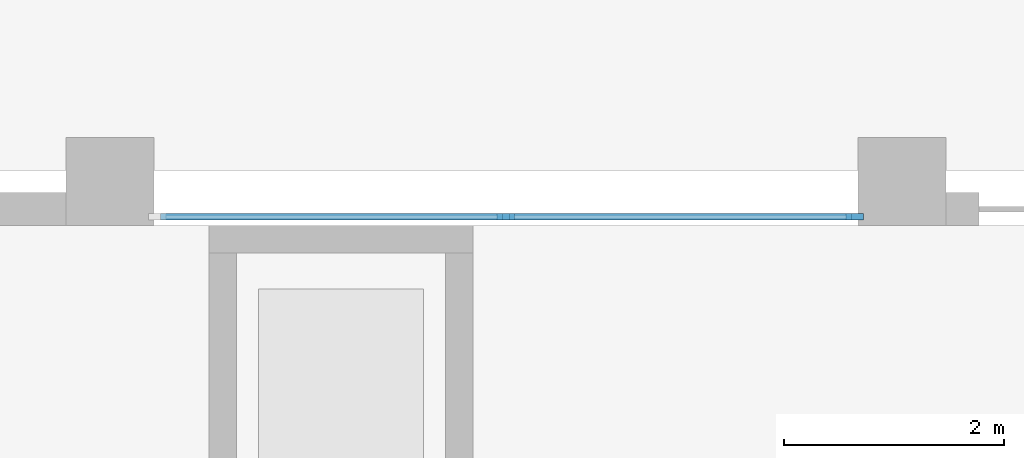
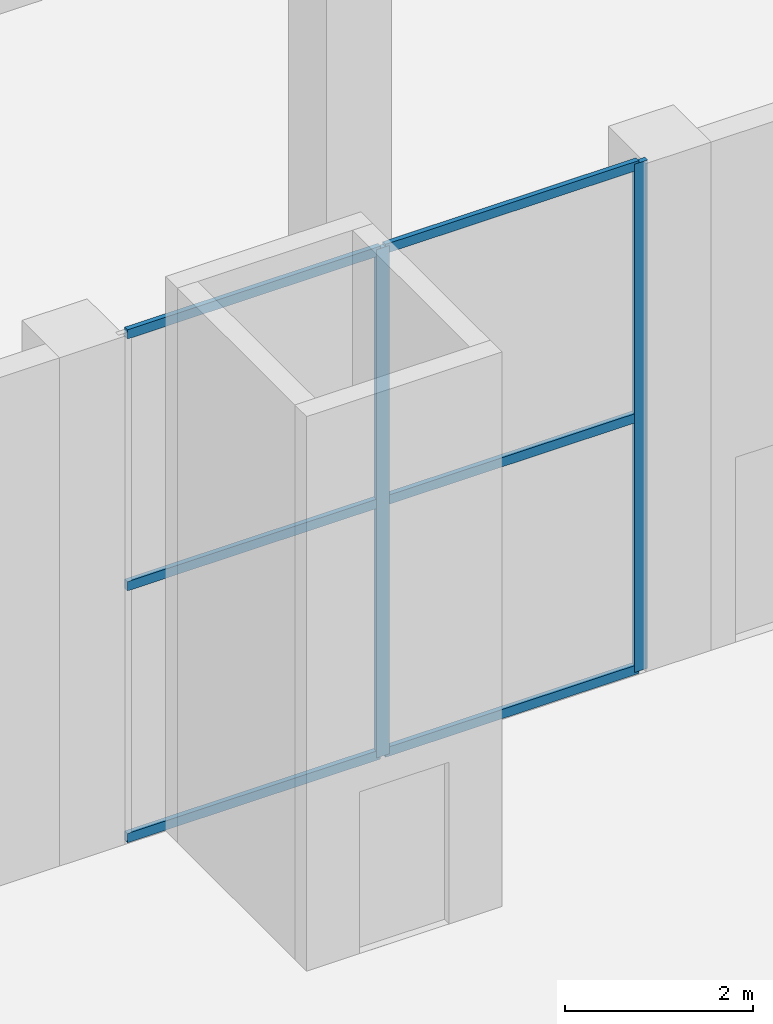
# One storey, part 5 of 44: 8 members, 1 element without a shape of its own.
"""IFC4 building model written with IfcOpenShell, lengths in metres."""

from ifc_helpers import new_model, si_unit, direction, frame, origin, origin_2d, place, context, subcontext, project, spatial, rectangle, extrude, material, material_profile, profile_set, type_object, element, aggregate, save


model = new_model("IFC4")

# Units and contexts
model_context = context("Model", 3, precision=1e-05, world=origin(), true_north=direction((0.0, 1.0)))
body_context = subcontext(model_context, "Body", "Model", "MODEL_VIEW")
ifc_project = project(units=[si_unit("LENGTHUNIT", "METRE"), si_unit("AREAUNIT", "SQUARE_METRE"), si_unit("VOLUMEUNIT", "CUBIC_METRE"), si_unit("PLANEANGLEUNIT", "RADIAN"), si_unit("MASSUNIT", "GRAM", prefix="KILO")], contexts=[model_context])

# Site, building, storey
site_placement = place(None, origin())
site = spatial("IfcSite", under=ifc_project, at=site_placement, CompositionType="ELEMENT")
building_placement = place(site_placement, origin())
building = spatial("IfcBuilding", under=site, at=building_placement, Name="Fustian Cross Tower", CompositionType="ELEMENT")
storey_placement = place(building_placement, origin())
storey = spatial("IfcBuildingStorey", under=building, at=storey_placement, Name="L00", CompositionType="ELEMENT", Elevation=0.0)

# Curtain wall, members
ifc_material_1 = material(Name="Glass", Category="glass")
curtain_wall_type = type_object("IfcCurtainWallType", Name="CW3 CURTAIN WALL", PredefinedType="NOTDEFINED", material=ifc_material_1)
curtain_wall_placement = place(storey_placement, origin())
curtain_wall = element("IfcCurtainWall", 1, at=curtain_wall_placement, inside=storey, type_object=curtain_wall_type, Name="Curtain wall CW3", PredefinedType="NOTDEFINED")
ifc_material_2 = material(Name="Aluminium alloy 6063", Category="aluminium")
ifc_material_profile_1 = material_profile(ifc_material_2, rectangle(XDim=0.06005859375, YDim=0.159912109375, at=origin_2d()), Name="CW3 MULLION 60x160")
ifc_profile_set_1 = profile_set([ifc_material_profile_1], Name="Aluminium alloy 6063")
member_type_1 = type_object("IfcMemberType", Name="CW3 MULLION 60x160", PredefinedType="MULLION", material=ifc_profile_set_1)
member_1_placement = place(storey_placement, frame((-18.0, -50.320068359375, 0.0), z_axis=(0.0, 0.0, 1.0), x_axis=(0.0, 1.0, 0.0)))
member_1 = element("IfcMember", 2, at=member_1_placement, type_object=member_type_1, Name="CW3 mullion 2", PredefinedType="MULLION", context=body_context, shape_type="SweptSolid", body=[
    extrude(rectangle(XDim=0.06005859375, YDim=0.159912109375, at=origin_2d()), origin(), (0.0, 0.0, 1.0), 6.60009765625),
])
member_2_placement = place(storey_placement, frame((-14.830078125, -50.320068359375, 0.0), z_axis=(0.0, 0.0, 1.0), x_axis=(0.0, 1.0, 0.0)))
member_2 = element("IfcMember", 3, at=member_2_placement, type_object=member_type_1, Name="CW3 mullion 3", PredefinedType="MULLION", context=body_context, shape_type="SweptSolid", body=[
    extrude(rectangle(XDim=0.06005859375, YDim=0.159912109375, at=origin_2d()), origin(), (0.0, 0.0, 1.0), 6.60009765625),
])
ifc_material_3 = material(Name="Aluminium alloy 6063", Category="aluminium")
ifc_material_profile_2 = material_profile(ifc_material_3, rectangle(XDim=0.06005859375, YDim=0.1201171875, at=origin_2d()), Name="CW3 TRANSOM 60x120")
ifc_profile_set_2 = profile_set([ifc_material_profile_2], Name="Aluminium alloy 6063")
member_type_2 = type_object("IfcMemberType", Name="CW3 TRANSOM 60x120", PredefinedType="USERDEFINED", material=ifc_profile_set_2)
member_3_placement = place(storey_placement, frame((-21.139892578125, -50.320068359375, 0.030029296875), z_axis=(1.0, 0.0, 0.0), x_axis=(0.0, 1.0, 0.0)))
member_3 = element("IfcMember", 4, at=member_3_placement, type_object=member_type_2, Name="CW3 transom 1.1", ObjectType="TRANSOM", PredefinedType="USERDEFINED", context=body_context, shape_type="SweptSolid", body=[
    extrude(rectangle(XDim=0.06005859375, YDim=0.1201171875, at=origin_2d()), origin(), (0.0, 0.0, 1.0), 3.10986328125),
])
member_4_placement = place(storey_placement, frame((-21.139892578125, -50.320068359375, 3.300048828125), z_axis=(1.0, 0.0, 0.0), x_axis=(0.0, 1.0, 0.0)))
member_4 = element("IfcMember", 5, at=member_4_placement, type_object=member_type_2, Name="CW3 transom 1.2", ObjectType="TRANSOM", PredefinedType="USERDEFINED", context=body_context, shape_type="SweptSolid", body=[
    extrude(rectangle(XDim=0.06005859375, YDim=0.1201171875, at=origin_2d()), origin(), (0.0, 0.0, 1.0), 3.10986328125),
])
member_5_placement = place(storey_placement, frame((-21.139892578125, -50.320068359375, 6.570068359375), z_axis=(1.0, 0.0, 0.0), x_axis=(0.0, 1.0, 0.0)))
member_5 = element("IfcMember", 6, at=member_5_placement, type_object=member_type_2, Name="CW3 transom 1.3", ObjectType="TRANSOM", PredefinedType="USERDEFINED", context=body_context, shape_type="SweptSolid", body=[
    extrude(rectangle(XDim=0.06005859375, YDim=0.1201171875, at=origin_2d()), origin(), (0.0, 0.0, 1.0), 3.10986328125),
])
member_6_placement = place(storey_placement, frame((-17.969970703125, -50.320068359375, 0.030029296875), z_axis=(1.0, 0.0, 0.0), x_axis=(0.0, 1.0, 0.0)))
member_6 = element("IfcMember", 7, at=member_6_placement, type_object=member_type_2, Name="CW3 transom 2.1", ObjectType="TRANSOM", PredefinedType="USERDEFINED", context=body_context, shape_type="SweptSolid", body=[
    extrude(rectangle(XDim=0.06005859375, YDim=0.1201171875, at=origin_2d()), origin(), (0.0, 0.0, 1.0), 3.10986328125),
])
member_7_placement = place(storey_placement, frame((-17.969970703125, -50.320068359375, 3.300048828125), z_axis=(1.0, 0.0, 0.0), x_axis=(0.0, 1.0, 0.0)))
member_7 = element("IfcMember", 8, at=member_7_placement, type_object=member_type_2, Name="CW3 transom 2.2", ObjectType="TRANSOM", PredefinedType="USERDEFINED", context=body_context, shape_type="SweptSolid", body=[
    extrude(rectangle(XDim=0.06005859375, YDim=0.1201171875, at=origin_2d()), origin(), (0.0, 0.0, 1.0), 3.10986328125),
])
member_8_placement = place(storey_placement, frame((-17.969970703125, -50.320068359375, 6.570068359375), z_axis=(1.0, 0.0, 0.0), x_axis=(0.0, 1.0, 0.0)))
member_8 = element("IfcMember", 9, at=member_8_placement, type_object=member_type_2, Name="CW3 transom 2.3", ObjectType="TRANSOM", PredefinedType="USERDEFINED", context=body_context, shape_type="SweptSolid", body=[
    extrude(rectangle(XDim=0.06005859375, YDim=0.1201171875, at=origin_2d()), origin(), (0.0, 0.0, 1.0), 3.10986328125),
])
aggregate(curtain_wall, [member_1, member_2, member_3, member_4, member_5, member_6, member_7, member_8])

save(model, "model.ifc")
